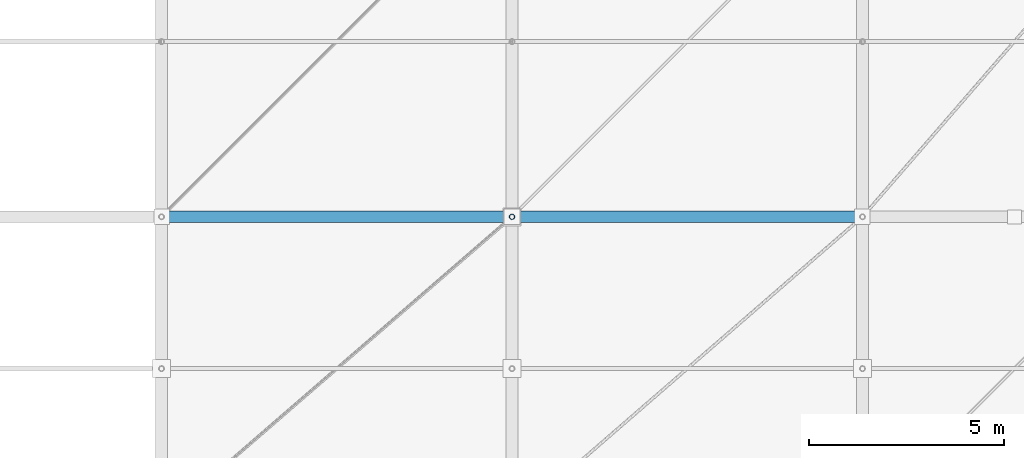
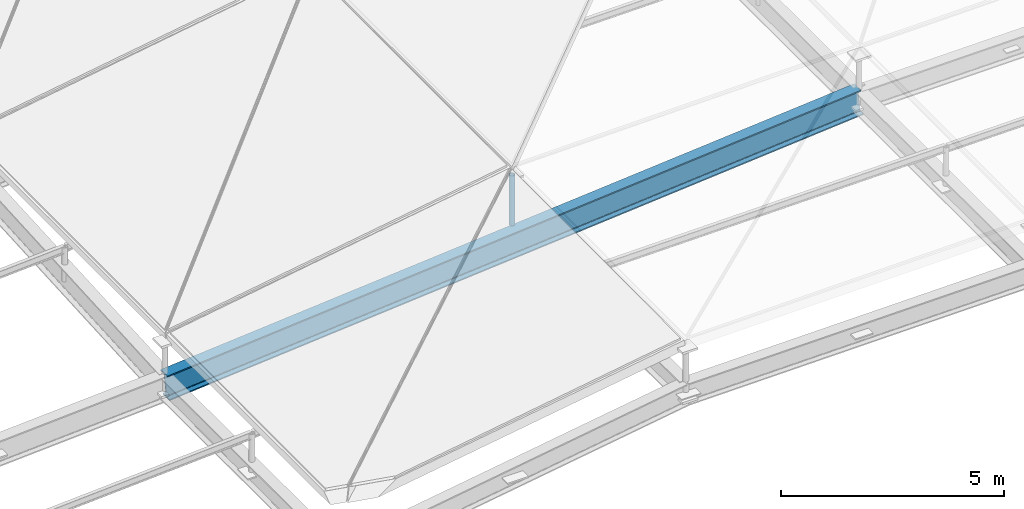
# One storey, part 16 of 80: 1 beam, 1 member.
"""IFC4 building model written with IfcOpenShell, lengths in metres."""

from ifc_helpers import new_model, si_unit, direction, frame, origin, origin_2d, place, context, subcontext, project, spatial, hollow_circle, i_section, extrude, material, material_profile, profile_set, type_object, element, save


model = new_model("IFC4")

# Units and contexts
model_context = context("Model", 3, precision=1e-05, world=origin(), true_north=direction((0.0, 1.0)))
body_context = subcontext(model_context, "Body", "Model", "MODEL_VIEW")
ifc_project = project(units=[si_unit("LENGTHUNIT", "METRE"), si_unit("AREAUNIT", "SQUARE_METRE"), si_unit("VOLUMEUNIT", "CUBIC_METRE"), si_unit("PLANEANGLEUNIT", "RADIAN"), si_unit("MASSUNIT", "GRAM", prefix="KILO")], contexts=[model_context])

# Site, building, storey
site_placement = place(None, origin())
site = spatial("IfcSite", under=ifc_project, at=site_placement, CompositionType="ELEMENT")
building_placement = place(site_placement, origin())
building = spatial("IfcBuilding", under=site, at=building_placement, Name="Barlavento Convention Centre", CompositionType="ELEMENT")
storey_placement = place(building_placement, frame((0.0, 0.0, 29.800048828125)))
storey = spatial("IfcBuildingStorey", under=building, at=storey_placement, Name="RF", CompositionType="ELEMENT", Elevation=29.800048828125)

# Beam
ifc_material_1 = material(Name="Steel S460", Category="steel")
ifc_material_profile_1 = material_profile(ifc_material_1, i_section(OverallWidth=0.300048828125, OverallDepth=0.699951171875, WebThickness=0.01708984375, FlangeThickness=0.031982421875, FilletRadius=0.027099609375, at=origin_2d()), Name="HEB 700")
ifc_profile_set_1 = profile_set([ifc_material_profile_1], Name="Steel S460")
beam_type = type_object("IfcBeamType", Name="STR-BM-TRUSS-TOP-HEB700", PredefinedType="BEAM", material=ifc_profile_set_1)
beam_placement = place(storey_placement, frame((45.0048828125, 0.0, -1.25634765625), z_axis=(0.996341025885, 0.0, 0.085466719474), x_axis=(0.0, 1.0, 0.0)))
element("IfcBeam", 1, at=beam_placement, inside=storey, type_object=beam_type, Name="Congress roof truss space frame chord", PredefinedType="BEAM", context=body_context, shape_type="SweptSolid", body=[
    extrude(i_section(OverallWidth=0.300048828125, OverallDepth=0.699951171875, WebThickness=0.01708984375, FlangeThickness=0.031982421875, FilletRadius=0.027099609375, at=origin_2d()), origin(), (0.0, 0.0, 1.0), 18.056396484375),
])

# Member
ifc_material_2 = material(Name="Steel S355", Category="steel")
ifc_material_profile_2 = material_profile(ifc_material_2, hollow_circle(Radius=0.06982421875, WallThickness=0.008056640625, at=origin_2d()), Name="CHS 139.7x8.0")
ifc_profile_set_2 = profile_set([ifc_material_profile_2], Name="Steel S355")
member_type = type_object("IfcMemberType", Name="STR-MEM-DIAG-CHS139", PredefinedType="BRACE", material=ifc_profile_set_2)
member_placement = place(storey_placement, frame((54.0, 0.0, 0.00634765625), z_axis=(0.0, 0.0, 1.0), x_axis=(1.0, 0.0, 0.0)))
element("IfcMember", 2, at=member_placement, inside=storey, type_object=member_type, Name="Congress space frame vertical node post TD04", PredefinedType="BRACE", context=body_context, shape_type="SweptSolid", body=[
    extrude(hollow_circle(Radius=0.06982421875, WallThickness=0.008056640625, at=origin_2d()), origin(), (0.0, 0.0, 1.0), 1.369873046875),
])

save(model, "model.ifc")
